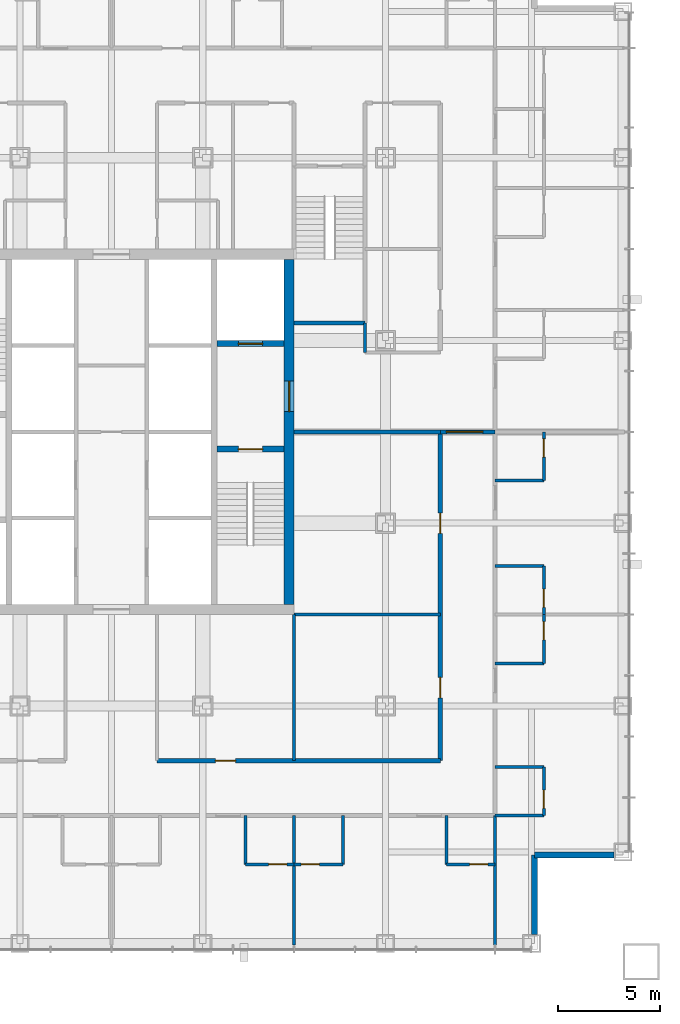
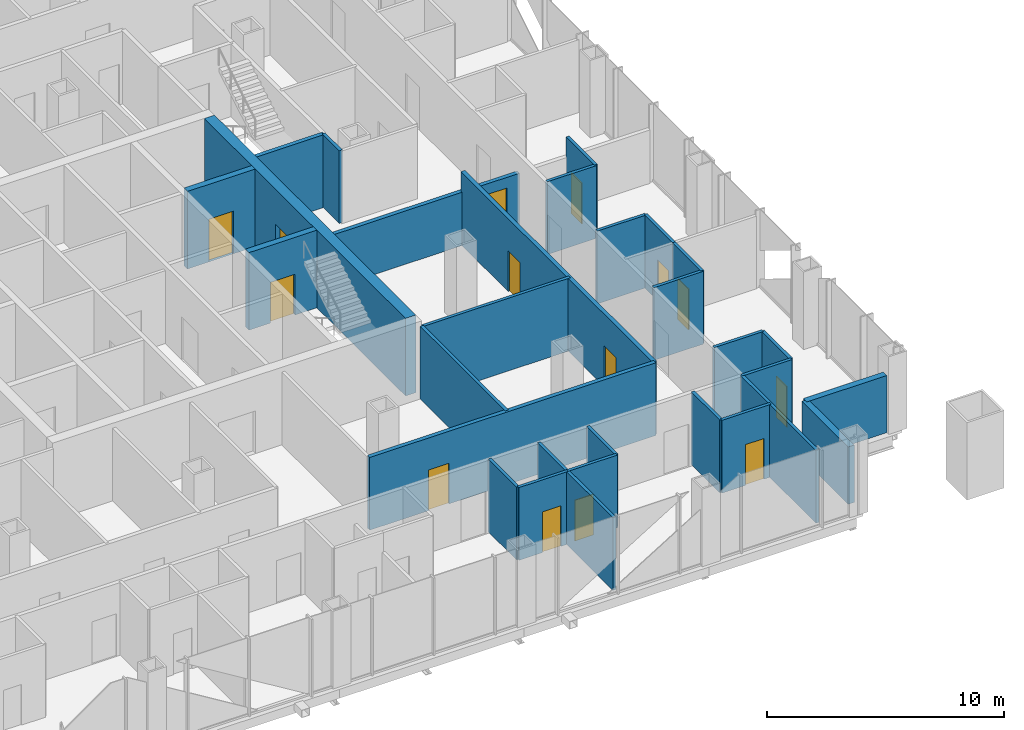
# One storey, part 9 of 17: 30 walls, 14 doors, 14 openings.
"""IFC4 building model written with IfcOpenShell, lengths in metres."""

from ifc_helpers import new_model, si_unit, direction, frame, frame_2d, origin, place, context, subcontext, project, spatial, rectangle, extrude, material, layer, layer_set, type_object, element, fill, save


model = new_model("IFC4")

# Units and contexts
model_context = context("Model", 3, precision=1e-05, world=origin(), true_north=direction((0.0, 1.0)))
body_context = subcontext(model_context, "Body", "Model", "MODEL_VIEW")
ifc_project = project(units=[si_unit("LENGTHUNIT", "METRE"), si_unit("AREAUNIT", "SQUARE_METRE"), si_unit("VOLUMEUNIT", "CUBIC_METRE"), si_unit("PLANEANGLEUNIT", "RADIAN"), si_unit("MASSUNIT", "GRAM", prefix="KILO")], contexts=[model_context])

# Site, building, storey
site_placement = place(None, origin())
site = spatial("IfcSite", under=ifc_project, at=site_placement, CompositionType="ELEMENT")
building_placement = place(site_placement, origin())
building = spatial("IfcBuilding", under=site, at=building_placement, Name="Malebo Sky Hospital", CompositionType="ELEMENT")
storey_placement = place(building_placement, frame((0.0, 0.0, 51.0)))
storey = spatial("IfcBuildingStorey", under=building, at=storey_placement, Name="L11", CompositionType="ELEMENT", Elevation=51.0)

# Wall, opening, door
ifc_material_1 = material(Name="Concrete C80/95", Category="concrete")
ifc_layer_1 = layer(ifc_material_1, 0.300048828125)
ifc_layer_set_1 = layer_set([ifc_layer_1], Name="CORE INNER WALL 300")
wall_type_1 = type_object("IfcWallType", Name="CORE INNER WALL 300", PredefinedType="SHEAR", material=ifc_layer_set_1)
wall_1_placement = place(storey_placement, frame((65.199951171875, 61.14990234375, 0.0), z_axis=(0.0, 0.0, 1.0), x_axis=(1.0, 0.0, 0.0)))
wall_1 = element("IfcWall", 1, at=wall_1_placement, inside=storey, type_object=wall_type_1, Name="Core wall E1 L11", PredefinedType="SHEAR", context=body_context, shape_type="SweptSolid", body=[
    extrude(rectangle(XDim=3.300048828125, YDim=0.300048828125, at=frame_2d((1.64990234375, 0.0))), origin(), (0.0, 0.0, 1.0), 4.0),
])
opening_1_placement = place(wall_1_placement, frame((1.050048828125, 0.0, 0.0)))
opening_1 = element("IfcOpeningElement", 2, at=opening_1_placement, cuts=wall_1, Name="Opening D08", PredefinedType="OPENING", context=body_context, shape_type="SweptSolid", body=[
    extrude(rectangle(XDim=1.199951171875, YDim=2.10009765625, at=frame_2d((0.60009765625, 1.050048828125))), frame((0.0, 0.159912109375, 0.0), z_axis=(0.0, -1.0, 0.0), x_axis=(1.0, 0.0, 0.0)), (0.0, 0.0, 1.0), 0.320068359375),
])
ifc_material_2 = material(Name="Hardwood-faced door leaf in steel frame", Category="steel")
door_type_1 = type_object("IfcDoorType", Name="STAIR DOOR 1200", OperationType="SINGLE_SWING_LEFT", PredefinedType="DOOR", material=ifc_material_2)
door_1_placement = place(opening_1_placement, origin())
door_1 = element("IfcDoor", 3, at=door_1_placement, inside=storey, type_object=door_type_1, Name="Stair S2 door", OperationType="SINGLE_SWING_LEFT", OverallHeight=2.10009765625, OverallWidth=1.199951171875, PredefinedType="DOOR", context=body_context, shape_type="SweptSolid", body=[
    extrude(rectangle(XDim=1.199951171875, YDim=2.10009765625, at=frame_2d((0.60009765625, 1.050048828125))), frame((0.0, 0.02490234375, 0.0), z_axis=(0.0, -1.0, 0.0), x_axis=(1.0, 0.0, 0.0)), (0.0, 0.0, 1.0), 0.050048828125),
])
fill(opening_1, door_1)

wall_2_placement = place(storey_placement, frame((65.199951171875, 66.35009765625, 0.0), z_axis=(0.0, 0.0, 1.0), x_axis=(1.0, 0.0, 0.0)))
wall_2 = element("IfcWall", 4, at=wall_2_placement, inside=storey, type_object=wall_type_1, Name="Core wall E2 L11", PredefinedType="SHEAR", context=body_context, shape_type="SweptSolid", body=[
    extrude(rectangle(XDim=3.300048828125, YDim=0.300048828125, at=frame_2d((1.64990234375, 0.0))), origin(), (0.0, 0.0, 1.0), 4.0),
])
opening_2_placement = place(wall_2_placement, frame((1.050048828125, 0.0, 0.0)))
opening_2 = element("IfcOpeningElement", 5, at=opening_2_placement, cuts=wall_2, Name="Opening LD2", PredefinedType="OPENING", context=body_context, shape_type="SweptSolid", body=[
    extrude(rectangle(XDim=1.199951171875, YDim=2.199951171875, at=frame_2d((0.60009765625, 1.10009765625))), frame((0.0, 0.159912109375, 0.0), z_axis=(0.0, -1.0, 0.0), x_axis=(1.0, 0.0, 0.0)), (0.0, 0.0, 1.0), 0.320068359375),
])
ifc_material_3 = material(Name="Stainless steel sliding landing door", Category="steel")
door_type_2 = type_object("IfcDoorType", Name="FIRE-FIGHTING LIFT LANDING DOOR 1200", OperationType="SLIDING_TO_LEFT", PredefinedType="DOOR", material=ifc_material_3)
door_2_placement = place(opening_2_placement, origin())
door_2 = element("IfcDoor", 6, at=door_2_placement, inside=storey, type_object=door_type_2, Name="Lift FL2 landing door", OperationType="SLIDING_TO_LEFT", OverallHeight=2.199951171875, OverallWidth=1.199951171875, PredefinedType="DOOR", context=body_context, shape_type="SweptSolid", body=[
    extrude(rectangle(XDim=1.199951171875, YDim=2.199951171875, at=frame_2d((0.60009765625, 1.10009765625))), frame((0.0, 0.02490234375, 0.0), z_axis=(0.0, -1.0, 0.0), x_axis=(1.0, 0.0, 0.0)), (0.0, 0.0, 1.0), 0.050048828125),
])
fill(opening_2, door_2)

ifc_layer_2 = layer(ifc_material_1, 0.5)
ifc_layer_set_2 = layer_set([ifc_layer_2], Name="CORE WALL 500")
wall_type_2 = type_object("IfcWallType", Name="CORE WALL 500", PredefinedType="SHEAR", material=ifc_layer_set_2)
wall_3_placement = place(storey_placement, frame((68.75, 53.5, 0.0), z_axis=(0.0, 0.0, 1.0), x_axis=(0.0, 1.0, 0.0)))
wall_3 = element("IfcWall", 7, at=wall_3_placement, inside=storey, type_object=wall_type_2, Name="Core wall E L11", PredefinedType="SHEAR", context=body_context, shape_type="SweptSolid", body=[
    extrude(rectangle(XDim=17.0, YDim=0.5, at=frame_2d((8.5, 0.0))), origin(), (0.0, 0.0, 1.0), 4.0),
])
opening_3_placement = place(wall_3_placement, frame((9.5, 0.0, 0.0)))
opening_3 = element("IfcOpeningElement", 8, at=opening_3_placement, cuts=wall_3, Name="Opening D07", PredefinedType="OPENING", context=body_context, shape_type="SweptSolid", body=[
    extrude(rectangle(XDim=1.5, YDim=2.199951171875, at=frame_2d((0.75, 1.10009765625))), frame((0.0, 0.260009765625, 0.0), z_axis=(0.0, -1.0, 0.0), x_axis=(1.0, 0.0, 0.0)), (0.0, 0.0, 1.0), 0.52001953125),
])
door_type_3 = type_object("IfcDoorType", Name="FIRE-FIGHTING LOBBY DOOR PAIR 1500", OperationType="DOUBLE_DOOR_SINGLE_SWING", PredefinedType="DOOR", material=ifc_material_2)
door_3_placement = place(opening_3_placement, origin())
door_3 = element("IfcDoor", 9, at=door_3_placement, inside=storey, type_object=door_type_3, Name="Fire-fighting lobby door east", OperationType="DOUBLE_DOOR_SINGLE_SWING", OverallHeight=2.199951171875, OverallWidth=1.5, PredefinedType="DOOR", context=body_context, shape_type="SweptSolid", body=[
    extrude(rectangle(XDim=1.5, YDim=2.199951171875, at=frame_2d((0.75, 1.10009765625))), frame((0.0, 0.02490234375, 0.0), z_axis=(0.0, -1.0, 0.0), x_axis=(1.0, 0.0, 0.0)), (0.0, 0.0, 1.0), 0.050048828125),
])
fill(opening_3, door_3)

ifc_material_4 = material(Name="Gypsum board on steel studs", Category="steel")
ifc_layer_3 = layer(ifc_material_4, 0.199951171875)
ifc_layer_set_3 = layer_set([ifc_layer_3], Name="CORRIDOR WALL 200")
wall_type_3 = type_object("IfcWallType", Name="CORRIDOR WALL 200", PredefinedType="PARTITIONING", material=ifc_layer_set_3)
wall_4_placement = place(storey_placement, frame((76.199951171875, 45.800048828125, 0.0), z_axis=(0.0, 0.0, 1.0), x_axis=(-1.0, 0.0, 0.0)))
wall_4 = element("IfcWall", 10, at=wall_4_placement, inside=storey, type_object=wall_type_3, Name="Corridor Wall 200 SCI1", PredefinedType="PARTITIONING", context=body_context, shape_type="SweptSolid", body=[
    extrude(rectangle(XDim=13.949951171875, YDim=0.199951171875, at=frame_2d((6.97509765625, 0.0))), origin(), (0.0, 0.0, 1.0), 3.75),
])
opening_4_placement = place(wall_4_placement, frame((10.074951171875, 0.0, 0.0)))
opening_4 = element("IfcOpeningElement", 11, at=opening_4_placement, cuts=wall_4, Name="Opening D03", PredefinedType="OPENING", context=body_context, shape_type="SweptSolid", body=[
    extrude(rectangle(XDim=1.0, YDim=2.10009765625, at=frame_2d((0.5, 1.050048828125))), frame((0.0, 0.10986328125, 0.0), z_axis=(0.0, -1.0, 0.0), x_axis=(1.0, 0.0, 0.0)), (0.0, 0.0, 1.0), 0.219970703125),
])
door_type_4 = type_object("IfcDoorType", Name="ROOM DOOR 1000", OperationType="SINGLE_SWING_LEFT", PredefinedType="DOOR", material=ifc_material_2)
door_4_placement = place(opening_4_placement, origin())
door_4 = element("IfcDoor", 12, at=door_4_placement, inside=storey, type_object=door_type_4, Name="Ward pantry door", OperationType="SINGLE_SWING_LEFT", OverallHeight=2.10009765625, OverallWidth=1.0, PredefinedType="DOOR", context=body_context, shape_type="SweptSolid", body=[
    extrude(rectangle(XDim=1.0, YDim=2.10009765625, at=frame_2d((0.5, 1.050048828125))), frame((0.0, 0.02490234375, 0.0), z_axis=(0.0, -1.0, 0.0), x_axis=(1.0, 0.0, 0.0)), (0.0, 0.0, 1.0), 0.050048828125),
])
fill(opening_4, door_4)

# Wall, openings, doors
wall_5_placement = place(storey_placement, frame((76.199951171875, 62.0, 0.0), z_axis=(0.0, 0.0, 1.0), x_axis=(0.0, -1.0, 0.0)))
wall_5 = element("IfcWall", 13, at=wall_5_placement, inside=storey, type_object=wall_type_3, Name="Corridor Wall 200 ECI2", PredefinedType="PARTITIONING", context=body_context, shape_type="SweptSolid", body=[
    extrude(rectangle(XDim=16.199951171875, YDim=0.199951171875, at=frame_2d((8.10009765625, 0.0))), origin(), (0.0, 0.0, 1.0), 3.75),
])
opening_5_placement = place(wall_5_placement, frame((4.0, 0.0, 0.0)))
opening_5 = element("IfcOpeningElement", 14, at=opening_5_placement, cuts=wall_5, Name="Opening D03", PredefinedType="OPENING", context=body_context, shape_type="SweptSolid", body=[
    extrude(rectangle(XDim=1.0, YDim=2.10009765625, at=frame_2d((0.5, 1.050048828125))), frame((0.0, 0.10986328125, 0.0), z_axis=(0.0, -1.0, 0.0), x_axis=(1.0, 0.0, 0.0)), (0.0, 0.0, 1.0), 0.219970703125),
])
opening_6_placement = place(wall_5_placement, frame((12.10009765625, 0.0, 0.0)))
opening_6 = element("IfcOpeningElement", 15, at=opening_6_placement, cuts=wall_5, Name="Opening D03", PredefinedType="OPENING", context=body_context, shape_type="SweptSolid", body=[
    extrude(rectangle(XDim=1.0, YDim=2.10009765625, at=frame_2d((0.5, 1.050048828125))), frame((0.0, 0.10986328125, 0.0), z_axis=(0.0, -1.0, 0.0), x_axis=(1.0, 0.0, 0.0)), (0.0, 0.0, 1.0), 0.219970703125),
])
door_5_placement = place(opening_5_placement, origin())
door_5 = element("IfcDoor", 16, at=door_5_placement, inside=storey, type_object=door_type_4, Name="Staff rest room door", OperationType="SINGLE_SWING_LEFT", OverallHeight=2.10009765625, OverallWidth=1.0, PredefinedType="DOOR", context=body_context, shape_type="SweptSolid", body=[
    extrude(rectangle(XDim=1.0, YDim=2.10009765625, at=frame_2d((0.5, 1.050048828125))), frame((0.0, 0.02490234375, 0.0), z_axis=(0.0, -1.0, 0.0), x_axis=(1.0, 0.0, 0.0)), (0.0, 0.0, 1.0), 0.050048828125),
])
fill(opening_5, door_5)
door_6_placement = place(opening_6_placement, origin())
door_6 = element("IfcDoor", 17, at=door_6_placement, inside=storey, type_object=door_type_4, Name="Wound care room door", OperationType="SINGLE_SWING_RIGHT", OverallHeight=2.10009765625, OverallWidth=1.0, PredefinedType="DOOR", context=body_context, shape_type="SweptSolid", body=[
    extrude(rectangle(XDim=1.0, YDim=2.10009765625, at=frame_2d((0.5, 1.050048828125))), frame((0.0, 0.02490234375, 0.0), z_axis=(0.0, -1.0, 0.0), x_axis=(1.0, 0.0, 0.0)), (0.0, 0.0, 1.0), 0.050048828125),
])
fill(opening_6, door_6)

# Walls
ifc_material_5 = material(Name="Anodised aluminium rainscreen on steel framing", Category="steel")
ifc_layer_4 = layer(ifc_material_5, 0.300048828125)
ifc_layer_set_4 = layer_set([ifc_layer_4], Name="NOTCH RAINSCREEN WALL 300")
wall_type_4 = type_object("IfcWallType", Name="NOTCH RAINSCREEN WALL 300", PredefinedType="ELEMENTEDWALL", material=ifc_layer_set_4)
for number, where, z_axis, x_axis, name in (
    (18, (84.75, 41.14990234375, 0.0), (0.0, 0.0, 1.0), (-1.0, 0.0, 0.0), "Notch rainscreen wall E1 L11"),
    (19, (80.85009765625, 41.14990234375, 0.0), (0.0, 0.0, 1.0), (0.0, -1.0, 0.0), "Notch rainscreen wall E2 L11"),
):
    element("IfcWall", number, at=place(storey_placement, frame(where, z_axis=z_axis, x_axis=x_axis)), inside=storey, type_object=wall_type_4, Name=name, PredefinedType="ELEMENTEDWALL", context=body_context, shape_type="SweptSolid", body=[
        extrude(rectangle(XDim=3.89990234375, YDim=0.300048828125, at=frame_2d((1.949951171875, 0.0))), origin(), (0.0, 0.0, 1.0), 2.949951171875),
    ])
ifc_layer_5 = layer(ifc_material_4, 0.14990234375)
ifc_layer_set_5 = layer_set([ifc_layer_5], Name="PARTITION 150")
wall_type_5 = type_object("IfcWallType", Name="PARTITION 150", PredefinedType="PARTITIONING", material=ifc_layer_set_5)
for number, where, z_axis, x_axis, name in (
    (20, (69.0, 43.10009765625, 0.0), (0.0, 0.0, 1.0), (0.0, -1.0, 0.0), "Partition 150 SP-9.0"),
    (21, (78.89990234375, 43.10009765625, 0.0), (0.0, 0.0, 1.0), (0.0, -1.0, 0.0), "Partition 150 SP0"),
):
    element("IfcWall", number, at=place(storey_placement, frame(where, z_axis=z_axis, x_axis=x_axis)), inside=storey, type_object=wall_type_5, Name=name, PredefinedType="PARTITIONING", context=body_context, shape_type="SweptSolid", body=[
        extrude(rectangle(XDim=6.375, YDim=0.14990234375, at=frame_2d((3.1875, 0.0))), origin(), (0.0, 0.0, 1.0), 3.75),
    ])

# Wall, opening, door
wall_6_placement = place(storey_placement, frame((78.89990234375, 40.699951171875, 0.0), z_axis=(0.0, 0.0, 1.0), x_axis=(-1.0, 0.0, 0.0)))
wall_6 = element("IfcWall", 22, at=wall_6_placement, inside=storey, type_object=wall_type_5, Name="Partition 150 SE0F", PredefinedType="PARTITIONING", context=body_context, shape_type="SweptSolid", body=[
    extrude(rectangle(XDim=2.39990234375, YDim=0.14990234375, at=frame_2d((1.199951171875, 0.0))), origin(), (0.0, 0.0, 1.0), 3.75),
])
opening_7_placement = place(wall_6_placement, frame((0.35009765625, 0.0, 0.0)))
opening_7 = element("IfcOpeningElement", 23, at=opening_7_placement, cuts=wall_6, Name="Opening D02", PredefinedType="OPENING", context=body_context, shape_type="SweptSolid", body=[
    extrude(rectangle(XDim=0.89990234375, YDim=2.10009765625, at=frame_2d((0.449951171875, 1.050048828125))), frame((0.0, 0.0849609375, 0.0), z_axis=(0.0, -1.0, 0.0), x_axis=(1.0, 0.0, 0.0)), (0.0, 0.0, 1.0), 0.169921875),
])
door_type_5 = type_object("IfcDoorType", Name="EN-SUITE DOOR 900", OperationType="SINGLE_SWING_LEFT", PredefinedType="DOOR", material=ifc_material_2)
door_7_placement = place(opening_7_placement, origin())
door_7 = element("IfcDoor", 24, at=door_7_placement, inside=storey, type_object=door_type_5, Name="En-suite door", OperationType="SINGLE_SWING_LEFT", OverallHeight=2.10009765625, OverallWidth=0.89990234375, PredefinedType="DOOR", context=body_context, shape_type="SweptSolid", body=[
    extrude(rectangle(XDim=0.89990234375, YDim=2.10009765625, at=frame_2d((0.449951171875, 1.050048828125))), frame((0.0, 0.02490234375, 0.0), z_axis=(0.0, -1.0, 0.0), x_axis=(1.0, 0.0, 0.0)), (0.0, 0.0, 1.0), 0.050048828125),
])
fill(opening_7, door_7)

# Wall
wall_7_placement = place(storey_placement, frame((76.5, 43.10009765625, 0.0), z_axis=(0.0, 0.0, 1.0), x_axis=(0.0, -1.0, 0.0)))
element("IfcWall", 25, at=wall_7_placement, inside=storey, type_object=wall_type_5, Name="Partition 150 SE0S", PredefinedType="PARTITIONING", context=body_context, shape_type="SweptSolid", body=[
    extrude(rectangle(XDim=2.400146484375, YDim=0.14990234375, at=frame_2d((1.2001953125, 0.0))), origin(), (0.0, 0.0, 1.0), 3.75),
])

# Wall, opening, door
wall_8_placement = place(storey_placement, frame((71.39990234375, 40.699951171875, 0.0), z_axis=(0.0, 0.0, 1.0), x_axis=(-1.0, 0.0, 0.0)))
wall_8 = element("IfcWall", 26, at=wall_8_placement, inside=storey, type_object=wall_type_5, Name="Partition 150 SG0F", PredefinedType="PARTITIONING", context=body_context, shape_type="SweptSolid", body=[
    extrude(rectangle(XDim=2.39990234375, YDim=0.14990234375, at=frame_2d((1.199951171875, 0.0))), origin(), (0.0, 0.0, 1.0), 3.75),
])
opening_8_placement = place(wall_8_placement, frame((1.14990234375, 0.0, 0.0)))
opening_8 = element("IfcOpeningElement", 27, at=opening_8_placement, cuts=wall_8, Name="Opening D02", PredefinedType="OPENING", context=body_context, shape_type="SweptSolid", body=[
    extrude(rectangle(XDim=0.89990234375, YDim=2.10009765625, at=frame_2d((0.449951171875, 1.050048828125))), frame((0.0, 0.0849609375, 0.0), z_axis=(0.0, -1.0, 0.0), x_axis=(1.0, 0.0, 0.0)), (0.0, 0.0, 1.0), 0.169921875),
])
door_8_placement = place(opening_8_placement, origin())
door_8 = element("IfcDoor", 28, at=door_8_placement, inside=storey, type_object=door_type_5, Name="En-suite door", OperationType="SINGLE_SWING_RIGHT", OverallHeight=2.10009765625, OverallWidth=0.89990234375, PredefinedType="DOOR", context=body_context, shape_type="SweptSolid", body=[
    extrude(rectangle(XDim=0.89990234375, YDim=2.10009765625, at=frame_2d((0.449951171875, 1.050048828125))), frame((0.0, 0.02490234375, 0.0), z_axis=(0.0, -1.0, 0.0), x_axis=(1.0, 0.0, 0.0)), (0.0, 0.0, 1.0), 0.050048828125),
])
fill(opening_8, door_8)

# Wall
wall_9_placement = place(storey_placement, frame((71.39990234375, 43.10009765625, 0.0), z_axis=(0.0, 0.0, 1.0), x_axis=(0.0, -1.0, 0.0)))
element("IfcWall", 29, at=wall_9_placement, inside=storey, type_object=wall_type_5, Name="Partition 150 SG0S", PredefinedType="PARTITIONING", context=body_context, shape_type="SweptSolid", body=[
    extrude(rectangle(XDim=2.400146484375, YDim=0.14990234375, at=frame_2d((1.2001953125, 0.0))), origin(), (0.0, 0.0, 1.0), 3.75),
])

# Wall, opening, door
wall_10_placement = place(storey_placement, frame((69.0, 40.699951171875, 0.0), z_axis=(0.0, 0.0, 1.0), x_axis=(-1.0, 0.0, 0.0)))
wall_10 = element("IfcWall", 30, at=wall_10_placement, inside=storey, type_object=wall_type_5, Name="Partition 150 SE1F", PredefinedType="PARTITIONING", context=body_context, shape_type="SweptSolid", body=[
    extrude(rectangle(XDim=2.39990234375, YDim=0.14990234375, at=frame_2d((1.199951171875, 0.0))), origin(), (0.0, 0.0, 1.0), 3.75),
])
opening_9_placement = place(wall_10_placement, frame((0.35009765625, 0.0, 0.0)))
opening_9 = element("IfcOpeningElement", 31, at=opening_9_placement, cuts=wall_10, Name="Opening D02", PredefinedType="OPENING", context=body_context, shape_type="SweptSolid", body=[
    extrude(rectangle(XDim=0.89990234375, YDim=2.10009765625, at=frame_2d((0.449951171875, 1.050048828125))), frame((0.0, 0.0849609375, 0.0), z_axis=(0.0, -1.0, 0.0), x_axis=(1.0, 0.0, 0.0)), (0.0, 0.0, 1.0), 0.169921875),
])
door_9_placement = place(opening_9_placement, origin())
door_9 = element("IfcDoor", 32, at=door_9_placement, inside=storey, type_object=door_type_5, Name="En-suite door", OperationType="SINGLE_SWING_LEFT", OverallHeight=2.10009765625, OverallWidth=0.89990234375, PredefinedType="DOOR", context=body_context, shape_type="SweptSolid", body=[
    extrude(rectangle(XDim=0.89990234375, YDim=2.10009765625, at=frame_2d((0.449951171875, 1.050048828125))), frame((0.0, 0.02490234375, 0.0), z_axis=(0.0, -1.0, 0.0), x_axis=(1.0, 0.0, 0.0)), (0.0, 0.0, 1.0), 0.050048828125),
])
fill(opening_9, door_9)

# Walls
wall_11_placement = place(storey_placement, frame((66.60009765625, 43.10009765625, 0.0), z_axis=(0.0, 0.0, 1.0), x_axis=(0.0, -1.0, 0.0)))
element("IfcWall", 33, at=wall_11_placement, inside=storey, type_object=wall_type_5, Name="Partition 150 SE1S", PredefinedType="PARTITIONING", context=body_context, shape_type="SweptSolid", body=[
    extrude(rectangle(XDim=2.400146484375, YDim=0.14990234375, at=frame_2d((1.2001953125, 0.0))), origin(), (0.0, 0.0, 1.0), 3.75),
])
wall_12_placement = place(storey_placement, frame((69.0, 53.0, 0.0), z_axis=(0.0, 0.0, 1.0), x_axis=(0.0, -1.0, 0.0)))
element("IfcWall", 34, at=wall_12_placement, inside=storey, type_object=wall_type_5, Name="Partition 150 SSP0", PredefinedType="PARTITIONING", context=body_context, shape_type="SweptSolid", body=[
    extrude(rectangle(XDim=7.199951171875, YDim=0.14990234375, at=frame_2d((3.60009765625, 0.0))), origin(), (0.0, 0.0, 1.0), 3.75),
])

# Wall, opening, door
wall_13_placement = place(storey_placement, frame((81.300048828125, 62.0, 0.0), z_axis=(0.0, 0.0, 1.0), x_axis=(0.0, -1.0, 0.0)))
wall_13 = element("IfcWall", 35, at=wall_13_placement, inside=storey, type_object=wall_type_5, Name="Partition 150 EE3F", PredefinedType="PARTITIONING", context=body_context, shape_type="SweptSolid", body=[
    extrude(rectangle(XDim=2.39990234375, YDim=0.14990234375, at=frame_2d((1.199951171875, 0.0))), origin(), (0.0, 0.0, 1.0), 3.75),
])
opening_10_placement = place(wall_13_placement, frame((0.35009765625, 0.0, 0.0)))
opening_10 = element("IfcOpeningElement", 36, at=opening_10_placement, cuts=wall_13, Name="Opening D02", PredefinedType="OPENING", context=body_context, shape_type="SweptSolid", body=[
    extrude(rectangle(XDim=0.89990234375, YDim=2.10009765625, at=frame_2d((0.449951171875, 1.050048828125))), frame((0.0, 0.0849609375, 0.0), z_axis=(0.0, -1.0, 0.0), x_axis=(1.0, 0.0, 0.0)), (0.0, 0.0, 1.0), 0.169921875),
])
door_10_placement = place(opening_10_placement, origin())
door_10 = element("IfcDoor", 37, at=door_10_placement, inside=storey, type_object=door_type_5, Name="En-suite door", OperationType="SINGLE_SWING_LEFT", OverallHeight=2.10009765625, OverallWidth=0.89990234375, PredefinedType="DOOR", context=body_context, shape_type="SweptSolid", body=[
    extrude(rectangle(XDim=0.89990234375, YDim=2.10009765625, at=frame_2d((0.449951171875, 1.050048828125))), frame((0.0, 0.02490234375, 0.0), z_axis=(0.0, -1.0, 0.0), x_axis=(1.0, 0.0, 0.0)), (0.0, 0.0, 1.0), 0.050048828125),
])
fill(opening_10, door_10)

# Wall
wall_14_placement = place(storey_placement, frame((78.89990234375, 59.60009765625, 0.0), z_axis=(0.0, 0.0, 1.0), x_axis=(1.0, 0.0, 0.0)))
element("IfcWall", 38, at=wall_14_placement, inside=storey, type_object=wall_type_5, Name="Partition 150 EE3S", PredefinedType="PARTITIONING", context=body_context, shape_type="SweptSolid", body=[
    extrude(rectangle(XDim=2.400146484375, YDim=0.14990234375, at=frame_2d((1.2001953125, 0.0))), origin(), (0.0, 0.0, 1.0), 3.75),
])

# Wall, opening, door
wall_15_placement = place(storey_placement, frame((81.300048828125, 55.39990234375, 0.0), z_axis=(0.0, 0.0, 1.0), x_axis=(0.0, -1.0, 0.0)))
wall_15 = element("IfcWall", 39, at=wall_15_placement, inside=storey, type_object=wall_type_5, Name="Partition 150 EG3F", PredefinedType="PARTITIONING", context=body_context, shape_type="SweptSolid", body=[
    extrude(rectangle(XDim=2.39990234375, YDim=0.14990234375, at=frame_2d((1.199951171875, 0.0))), origin(), (0.0, 0.0, 1.0), 3.75),
])
opening_11_placement = place(wall_15_placement, frame((1.14990234375, 0.0, 0.0)))
opening_11 = element("IfcOpeningElement", 40, at=opening_11_placement, cuts=wall_15, Name="Opening D02", PredefinedType="OPENING", context=body_context, shape_type="SweptSolid", body=[
    extrude(rectangle(XDim=0.89990234375, YDim=2.10009765625, at=frame_2d((0.449951171875, 1.050048828125))), frame((0.0, 0.0849609375, 0.0), z_axis=(0.0, -1.0, 0.0), x_axis=(1.0, 0.0, 0.0)), (0.0, 0.0, 1.0), 0.169921875),
])
door_11_placement = place(opening_11_placement, origin())
door_11 = element("IfcDoor", 41, at=door_11_placement, inside=storey, type_object=door_type_5, Name="En-suite door", OperationType="SINGLE_SWING_RIGHT", OverallHeight=2.10009765625, OverallWidth=0.89990234375, PredefinedType="DOOR", context=body_context, shape_type="SweptSolid", body=[
    extrude(rectangle(XDim=0.89990234375, YDim=2.10009765625, at=frame_2d((0.449951171875, 1.050048828125))), frame((0.0, 0.02490234375, 0.0), z_axis=(0.0, -1.0, 0.0), x_axis=(1.0, 0.0, 0.0)), (0.0, 0.0, 1.0), 0.050048828125),
])
fill(opening_11, door_11)

# Wall
wall_16_placement = place(storey_placement, frame((78.89990234375, 55.39990234375, 0.0), z_axis=(0.0, 0.0, 1.0), x_axis=(1.0, 0.0, 0.0)))
element("IfcWall", 42, at=wall_16_placement, inside=storey, type_object=wall_type_5, Name="Partition 150 EG3S", PredefinedType="PARTITIONING", context=body_context, shape_type="SweptSolid", body=[
    extrude(rectangle(XDim=2.400146484375, YDim=0.14990234375, at=frame_2d((1.2001953125, 0.0))), origin(), (0.0, 0.0, 1.0), 3.75),
])

# Wall, opening, door
wall_17_placement = place(storey_placement, frame((81.300048828125, 53.0, 0.0), z_axis=(0.0, 0.0, 1.0), x_axis=(0.0, -1.0, 0.0)))
wall_17 = element("IfcWall", 43, at=wall_17_placement, inside=storey, type_object=wall_type_5, Name="Partition 150 EE4F", PredefinedType="PARTITIONING", context=body_context, shape_type="SweptSolid", body=[
    extrude(rectangle(XDim=2.39990234375, YDim=0.14990234375, at=frame_2d((1.199951171875, 0.0))), origin(), (0.0, 0.0, 1.0), 3.75),
])
opening_12_placement = place(wall_17_placement, frame((0.35009765625, 0.0, 0.0)))
opening_12 = element("IfcOpeningElement", 44, at=opening_12_placement, cuts=wall_17, Name="Opening D02", PredefinedType="OPENING", context=body_context, shape_type="SweptSolid", body=[
    extrude(rectangle(XDim=0.89990234375, YDim=2.10009765625, at=frame_2d((0.449951171875, 1.050048828125))), frame((0.0, 0.0849609375, 0.0), z_axis=(0.0, -1.0, 0.0), x_axis=(1.0, 0.0, 0.0)), (0.0, 0.0, 1.0), 0.169921875),
])
door_12_placement = place(opening_12_placement, origin())
door_12 = element("IfcDoor", 45, at=door_12_placement, inside=storey, type_object=door_type_5, Name="En-suite door", OperationType="SINGLE_SWING_LEFT", OverallHeight=2.10009765625, OverallWidth=0.89990234375, PredefinedType="DOOR", context=body_context, shape_type="SweptSolid", body=[
    extrude(rectangle(XDim=0.89990234375, YDim=2.10009765625, at=frame_2d((0.449951171875, 1.050048828125))), frame((0.0, 0.02490234375, 0.0), z_axis=(0.0, -1.0, 0.0), x_axis=(1.0, 0.0, 0.0)), (0.0, 0.0, 1.0), 0.050048828125),
])
fill(opening_12, door_12)

# Wall
wall_18_placement = place(storey_placement, frame((78.89990234375, 50.60009765625, 0.0), z_axis=(0.0, 0.0, 1.0), x_axis=(1.0, 0.0, 0.0)))
element("IfcWall", 46, at=wall_18_placement, inside=storey, type_object=wall_type_5, Name="Partition 150 EE4S", PredefinedType="PARTITIONING", context=body_context, shape_type="SweptSolid", body=[
    extrude(rectangle(XDim=2.400146484375, YDim=0.14990234375, at=frame_2d((1.2001953125, 0.0))), origin(), (0.0, 0.0, 1.0), 3.75),
])

# Wall, opening, door
wall_19_placement = place(storey_placement, frame((81.300048828125, 45.5, 0.0), z_axis=(0.0, 0.0, 1.0), x_axis=(0.0, -1.0, 0.0)))
wall_19 = element("IfcWall", 47, at=wall_19_placement, inside=storey, type_object=wall_type_5, Name="Partition 150 EG4F", PredefinedType="PARTITIONING", context=body_context, shape_type="SweptSolid", body=[
    extrude(rectangle(XDim=2.39990234375, YDim=0.14990234375, at=frame_2d((1.199951171875, 0.0))), origin(), (0.0, 0.0, 1.0), 3.75),
])
opening_13_placement = place(wall_19_placement, frame((1.14990234375, 0.0, 0.0)))
opening_13 = element("IfcOpeningElement", 48, at=opening_13_placement, cuts=wall_19, Name="Opening D02", PredefinedType="OPENING", context=body_context, shape_type="SweptSolid", body=[
    extrude(rectangle(XDim=0.89990234375, YDim=2.10009765625, at=frame_2d((0.449951171875, 1.050048828125))), frame((0.0, 0.0849609375, 0.0), z_axis=(0.0, -1.0, 0.0), x_axis=(1.0, 0.0, 0.0)), (0.0, 0.0, 1.0), 0.169921875),
])
door_13_placement = place(opening_13_placement, origin())
door_13 = element("IfcDoor", 49, at=door_13_placement, inside=storey, type_object=door_type_5, Name="En-suite door", OperationType="SINGLE_SWING_RIGHT", OverallHeight=2.10009765625, OverallWidth=0.89990234375, PredefinedType="DOOR", context=body_context, shape_type="SweptSolid", body=[
    extrude(rectangle(XDim=0.89990234375, YDim=2.10009765625, at=frame_2d((0.449951171875, 1.050048828125))), frame((0.0, 0.02490234375, 0.0), z_axis=(0.0, -1.0, 0.0), x_axis=(1.0, 0.0, 0.0)), (0.0, 0.0, 1.0), 0.050048828125),
])
fill(opening_13, door_13)

# Walls
for number, where, z_axis, x_axis, name in (
    (50, (78.89990234375, 45.5, 0.0), (0.0, 0.0, 1.0), (1.0, 0.0, 0.0), "Partition 150 EG4S"),
    (51, (78.89990234375, 43.10009765625, 0.0), (0.0, 0.0, 1.0), (1.0, 0.0, 0.0), "Partition 150 EEZ"),
):
    element("IfcWall", number, at=place(storey_placement, frame(where, z_axis=z_axis, x_axis=x_axis)), inside=storey, type_object=wall_type_5, Name=name, PredefinedType="PARTITIONING", context=body_context, shape_type="SweptSolid", body=[
        extrude(rectangle(XDim=2.400146484375, YDim=0.14990234375, at=frame_2d((1.2001953125, 0.0))), origin(), (0.0, 0.0, 1.0), 3.75),
    ])
wall_20_placement = place(storey_placement, frame((69.0, 53.0, 0.0), z_axis=(0.0, 0.0, 1.0), x_axis=(1.0, 0.0, 0.0)))
element("IfcWall", 52, at=wall_20_placement, inside=storey, type_object=wall_type_5, Name="Partition 150 ESP+9.0", PredefinedType="PARTITIONING", context=body_context, shape_type="SweptSolid", body=[
    extrude(rectangle(XDim=7.199951171875, YDim=0.14990234375, at=frame_2d((3.60009765625, 0.0))), origin(), (0.0, 0.0, 1.0), 3.75),
])
wall_21_placement = place(storey_placement, frame((72.5, 65.89990234375, 0.0), z_axis=(0.0, 0.0, 1.0), x_axis=(0.0, 1.0, 0.0)))
element("IfcWall", 53, at=wall_21_placement, inside=storey, type_object=wall_type_5, Name="Partition 150 ST3C", PredefinedType="PARTITIONING", context=body_context, shape_type="SweptSolid", body=[
    extrude(rectangle(XDim=1.4501953125, YDim=0.14990234375, at=frame_2d((0.72509765625, 0.0))), origin(), (0.0, 0.0, 1.0), 3.75),
])
ifc_material_6 = material(Name="Concrete blockwork", Category="masonry")
ifc_layer_6 = layer(ifc_material_6, 0.199951171875)
ifc_layer_set_6 = layer_set([ifc_layer_6], Name="SMOKE BARRIER WALL 200")
wall_type_6 = type_object("IfcWallType", Name="SMOKE BARRIER WALL 200", PredefinedType="SOLIDWALL", material=ifc_layer_set_6)
wall_22_placement = place(storey_placement, frame((69.0, 62.0, 0.0), z_axis=(0.0, 0.0, 1.0), x_axis=(1.0, 0.0, 0.0)))
element("IfcWall", 54, at=wall_22_placement, inside=storey, type_object=wall_type_6, Name="Smoke Barrier Wall 200 ESPB", PredefinedType="SOLIDWALL", context=body_context, shape_type="SweptSolid", body=[
    extrude(rectangle(XDim=7.199951171875, YDim=0.199951171875, at=frame_2d((3.60009765625, 0.0))), origin(), (0.0, 0.0, 1.0), 2.75),
])

# Wall, opening, door
wall_23_placement = place(storey_placement, frame((76.199951171875, 62.0, 0.0), z_axis=(0.0, 0.0, 1.0), x_axis=(1.0, 0.0, 0.0)))
wall_23 = element("IfcWall", 55, at=wall_23_placement, inside=storey, type_object=wall_type_6, Name="Smoke Barrier Wall 200 ESB", PredefinedType="SOLIDWALL", context=body_context, shape_type="SweptSolid", body=[
    extrude(rectangle(XDim=2.699951171875, YDim=0.199951171875, at=frame_2d((1.35009765625, 0.0))), origin(), (0.0, 0.0, 1.0), 2.75),
])
opening_14_placement = place(wall_23_placement, frame((0.300048828125, 0.0, 0.0)))
opening_14 = element("IfcOpeningElement", 56, at=opening_14_placement, cuts=wall_23, Name="Opening D05", PredefinedType="OPENING", context=body_context, shape_type="SweptSolid", body=[
    extrude(rectangle(XDim=1.800048828125, YDim=2.199951171875, at=frame_2d((0.89990234375, 1.10009765625))), frame((0.0, 0.10986328125, 0.0), z_axis=(0.0, -1.0, 0.0), x_axis=(1.0, 0.0, 0.0)), (0.0, 0.0, 1.0), 0.219970703125),
])
door_type_6 = type_object("IfcDoorType", Name="SMOKE DOOR PAIR 1800", OperationType="DOUBLE_DOOR_DOUBLE_SWING", PredefinedType="DOOR", material=ifc_material_2)
door_14_placement = place(opening_14_placement, origin())
door_14 = element("IfcDoor", 57, at=door_14_placement, inside=storey, type_object=door_type_6, Name="Smoke compartment door pair", OperationType="DOUBLE_DOOR_DOUBLE_SWING", OverallHeight=2.199951171875, OverallWidth=1.800048828125, PredefinedType="DOOR", context=body_context, shape_type="SweptSolid", body=[
    extrude(rectangle(XDim=1.800048828125, YDim=2.199951171875, at=frame_2d((0.89990234375, 1.10009765625))), frame((0.0, 0.02490234375, 0.0), z_axis=(0.0, -1.0, 0.0), x_axis=(1.0, 0.0, 0.0)), (0.0, 0.0, 1.0), 0.050048828125),
])
fill(opening_14, door_14)

# Wall
ifc_material_7 = material(Name="Concrete C40/50", Category="concrete")
ifc_layer_7 = layer(ifc_material_7, 0.199951171875)
ifc_layer_set_7 = layer_set([ifc_layer_7], Name="STAIR ENCLOSURE WALL 200")
wall_type_7 = type_object("IfcWallType", Name="STAIR ENCLOSURE WALL 200", PredefinedType="SOLIDWALL", material=ifc_layer_set_7)
wall_24_placement = place(storey_placement, frame((69.0, 67.35009765625, 0.0), z_axis=(0.0, 0.0, 1.0), x_axis=(1.0, 0.0, 0.0)))
element("IfcWall", 58, at=wall_24_placement, inside=storey, type_object=wall_type_7, Name="Stair Enclosure Wall 200 ST3S", PredefinedType="SOLIDWALL", context=body_context, shape_type="SweptSolid", body=[
    extrude(rectangle(XDim=3.5, YDim=0.199951171875, at=frame_2d((1.75, 0.0))), origin(), (0.0, 0.0, 1.0), 3.75),
])

save(model, "model.ifc")
